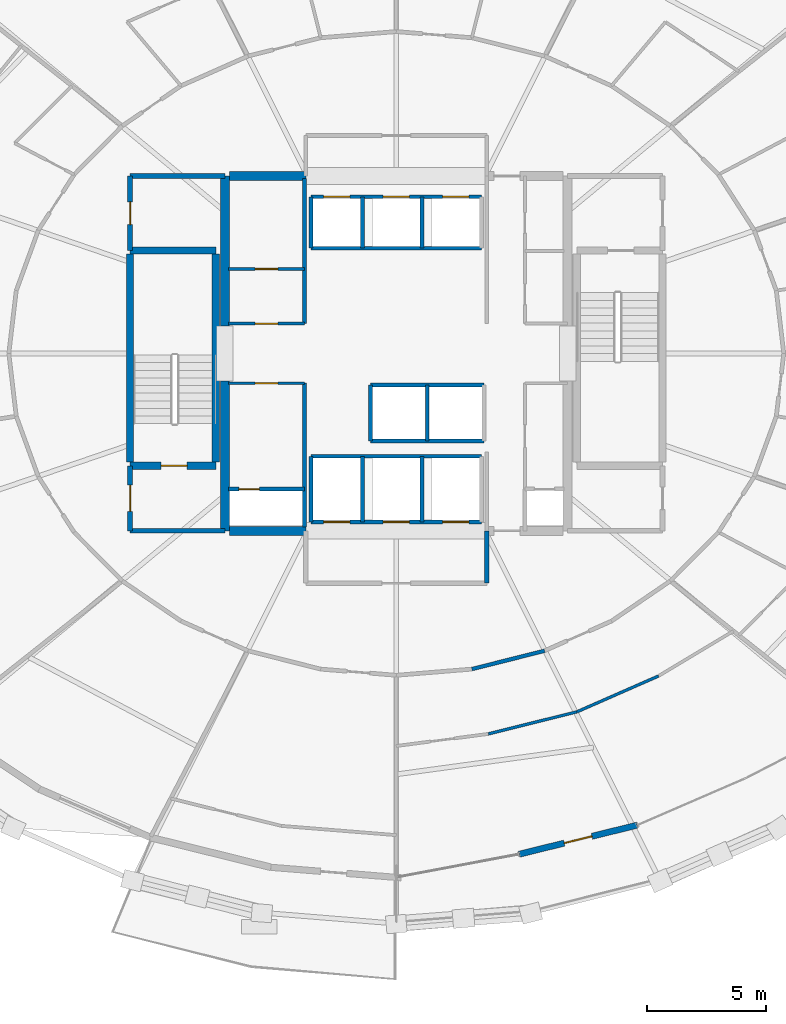
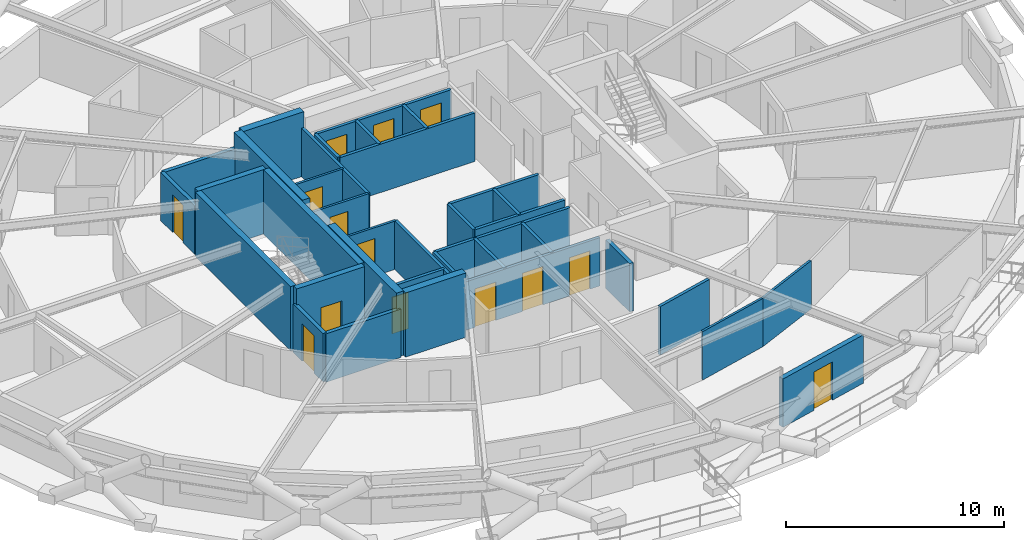
# One storey, part 10 of 14: 37 walls, 14 doors, 14 openings.
"""IFC4 building model written with IfcOpenShell, lengths in metres."""

from ifc_helpers import new_model, si_unit, direction, frame, frame_2d, origin, place, context, subcontext, project, spatial, rectangle, extrude, material, layer, layer_set, type_object, element, fill, save


model = new_model("IFC4")

# Units and contexts
model_context = context("Model", 3, precision=1e-05, world=origin(), true_north=direction((0.0, 1.0)))
body_context = subcontext(model_context, "Body", "Model", "MODEL_VIEW")
ifc_project = project(units=[si_unit("LENGTHUNIT", "METRE"), si_unit("AREAUNIT", "SQUARE_METRE"), si_unit("VOLUMEUNIT", "CUBIC_METRE"), si_unit("PLANEANGLEUNIT", "RADIAN"), si_unit("MASSUNIT", "GRAM", prefix="KILO")], contexts=[model_context])

# Site, building, storey
site_placement = place(None, origin())
site = spatial("IfcSite", under=ifc_project, at=site_placement, CompositionType="ELEMENT")
building_placement = place(site_placement, origin())
building = spatial("IfcBuilding", under=site, at=building_placement, Name="Veldorina Hangang Commons", CompositionType="ELEMENT")
storey_placement = place(building_placement, frame((0.0, 0.0, 88.0)))
storey = spatial("IfcBuildingStorey", under=building, at=storey_placement, Name="L22", CompositionType="ELEMENT", Elevation=88.0)

# Walls
ifc_material_1 = material(Name="Concrete C70/85", Category="concrete")
ifc_layer_1 = layer(ifc_material_1, 0.3798828125)
ifc_layer_set_1 = layer_set([ifc_layer_1], Name="Concrete C70/85")
wall_type_1 = type_object("IfcWallType", Name="CW-RC380-C70", PredefinedType="SHEAR", material=ifc_layer_set_1)
for number, where, z_axis, x_axis, name in (
    (1, (24.800048828125, 16.550048828125, 0.0), (0.0, 0.0, 1.0), (0.0, 1.0, 0.0), "L22 W south core shear wall"),
    (2, (24.800048828125, 25.14990234375, 0.0), (0.0, 0.0, 1.0), (0.0, 1.0, 0.0), "L22 W north core shear wall"),
):
    element("IfcWall", number, at=place(storey_placement, frame(where, z_axis=z_axis, x_axis=x_axis)), inside=storey, type_object=wall_type_1, Name=name, PredefinedType="SHEAR", context=body_context, shape_type="SweptSolid", body=[
        extrude(rectangle(XDim=6.300048828125, YDim=0.3798828125, at=frame_2d((3.14990234375, 0.0))), origin(), (0.0, 0.0, 1.0), 3.60009765625),
    ])
for number, where, z_axis, x_axis, name in (
    (3, (24.989990234375, 16.550048828125, 0.0), (0.0, 0.0, 1.0), (1.0, 0.0, 0.0), "L22 south-west core shear wall"),
    (4, (24.989990234375, 31.449951171875, 0.0), (0.0, 0.0, 1.0), (1.0, 0.0, 0.0), "L22 north-west core shear wall"),
):
    element("IfcWall", number, at=place(storey_placement, frame(where, z_axis=z_axis, x_axis=x_axis)), inside=storey, type_object=wall_type_1, Name=name, PredefinedType="SHEAR", context=body_context, shape_type="SweptSolid", body=[
        extrude(rectangle(XDim=3.2099609375, YDim=0.3798828125, at=frame_2d((1.60498046875, 0.0))), origin(), (0.0, 0.0, 1.0), 3.60009765625),
    ])

# Wall, opening, door
ifc_material_2 = material(Name="Stone Roman Travertine", Category="masonry")
ifc_layer_2 = layer(ifc_material_2, 0.260009765625)
ifc_layer_set_2 = layer_set([ifc_layer_2], Name="Stone Roman Travertine")
wall_type_2 = type_object("IfcWallType", Name="EW-LOGGIA-260", PredefinedType="STANDARD", material=ifc_layer_set_2)
wall_1_placement = place(storey_placement, frame((37.156494140625, 2.9658203125, 0.0), z_axis=(0.0, 0.0, 1.0), x_axis=(0.971019146569, 0.239001709192, 0.0)))
wall_1 = element("IfcWall", 5, at=wall_1_placement, inside=storey, type_object=wall_type_2, Name="L22 sky-garden loggia portal wall 25", PredefinedType="STANDARD", context=body_context, shape_type="SweptSolid", body=[
    extrude(rectangle(XDim=5.1064453125, YDim=0.260009765625, at=frame_2d((2.55322265625, 0.0))), origin(), (0.0, 0.0, 1.0), 2.7099609375),
])
opening_1_placement = place(wall_1_placement, frame((1.953125, 0.0, 0.0)))
opening_1 = element("IfcOpeningElement", 6, at=opening_1_placement, cuts=wall_1, Name="Opening BD-1200", PredefinedType="OPENING", context=body_context, shape_type="SweptSolid", body=[
    extrude(rectangle(XDim=1.199951171875, YDim=2.14990234375, at=frame_2d((0.60009765625, 1.074951171875))), frame((0.0, 0.14013671875, 0.0), z_axis=(0.0, -1.0, 0.0), x_axis=(1.0, 0.0, 0.0)), (0.0, 0.0, 1.0), 0.280029296875),
])
ifc_material_3 = material(Name="Glass Thermal Aluminium Frame", Category="aluminium")
door_type_1 = type_object("IfcDoorType", Name="DR-EXT-LOG1200", OperationType="SINGLE_SWING_LEFT", PredefinedType="DOOR", material=ifc_material_3)
door_1_placement = place(opening_1_placement, origin())
door_1 = element("IfcDoor", 7, at=door_1_placement, inside=storey, type_object=door_type_1, Name="L22 loggia glazed exterior door 25", OperationType="SINGLE_SWING_RIGHT", OverallHeight=2.14990234375, OverallWidth=1.199951171875, PredefinedType="DOOR", context=body_context, shape_type="SweptSolid", body=[
    extrude(rectangle(XDim=1.199951171875, YDim=2.14990234375, at=frame_2d((0.60009765625, 1.074951171875))), frame((0.0, 0.02490234375, 0.0), z_axis=(0.0, -1.0, 0.0), x_axis=(1.0, 0.0, 0.0)), (0.0, 0.0, 1.0), 0.050048828125),
])
fill(opening_1, door_1)

# Walls
ifc_material_4 = material(Name="Concrete C50/60", Category="concrete")
ifc_layer_3 = layer(ifc_material_4, 0.300048828125)
ifc_layer_set_3 = layer_set([ifc_layer_3], Name="Concrete C50/60")
wall_type_3 = type_object("IfcWallType", Name="SW-STAIR-300", PredefinedType="SHEAR", material=ifc_layer_set_3)
for number, where, z_axis, x_axis, name in (
    (8, (20.820068359375, 19.429931640625, 0.0), (0.0, 0.0, 1.0), (0.0, 1.0, 0.0), "L22 ST1 outer stair shear wall"),
    (9, (24.419921875, 19.429931640625, 0.0), (0.0, 0.0, 1.0), (0.0, 1.0, 0.0), "L22 ST1 inner stair shear wall"),
):
    element("IfcWall", number, at=place(storey_placement, frame(where, z_axis=z_axis, x_axis=x_axis)), inside=storey, type_object=wall_type_3, Name=name, PredefinedType="SHEAR", context=body_context, shape_type="SweptSolid", body=[
        extrude(rectangle(XDim=8.739990234375, YDim=0.300048828125, at=frame_2d((4.3701171875, 0.0))), origin(), (0.0, 0.0, 1.0), 3.60009765625),
    ])

# Wall, opening, door
wall_2_placement = place(storey_placement, frame((20.820068359375, 19.280029296875, 0.0), z_axis=(0.0, 0.0, 1.0), x_axis=(1.0, 0.0, 0.0)))
wall_2 = element("IfcWall", 10, at=wall_2_placement, inside=storey, type_object=wall_type_3, Name="L22 ST1 south stair shear wall", PredefinedType="SHEAR", context=body_context, shape_type="SweptSolid", body=[
    extrude(rectangle(XDim=3.599853515625, YDim=0.300048828125, at=frame_2d((1.7998046875, 0.0))), origin(), (0.0, 0.0, 1.0), 3.60009765625),
])
opening_2_placement = place(wall_2_placement, frame((1.300048828125, 0.0, 0.0)))
opening_2 = element("IfcOpeningElement", 11, at=opening_2_placement, cuts=wall_2, Name="Opening D-08", PredefinedType="OPENING", context=body_context, shape_type="SweptSolid", body=[
    extrude(rectangle(XDim=1.10009765625, YDim=2.10009765625, at=frame_2d((0.550048828125, 1.050048828125))), frame((0.0, 0.16015625, 0.0), z_axis=(0.0, -1.0, 0.0), x_axis=(1.0, 0.0, 0.0)), (0.0, 0.0, 1.0), 0.320068359375),
])
ifc_material_5 = material(Name="Steel Fire-Rated Smoke Seal", Category="steel")
door_type_2 = type_object("IfcDoorType", Name="DR-FIRE-1100", OperationType="SINGLE_SWING_RIGHT", PredefinedType="DOOR", material=ifc_material_5)
door_2_placement = place(opening_2_placement, origin())
door_2 = element("IfcDoor", 12, at=door_2_placement, inside=storey, type_object=door_type_2, Name="L22 Special Escape Stair ST-1 door", OperationType="SINGLE_SWING_LEFT", OverallHeight=2.10009765625, OverallWidth=1.10009765625, PredefinedType="DOOR", context=body_context, shape_type="SweptSolid", body=[
    extrude(rectangle(XDim=1.10009765625, YDim=2.10009765625, at=frame_2d((0.550048828125, 1.050048828125))), frame((0.0, 0.02490234375, 0.0), z_axis=(0.0, -1.0, 0.0), x_axis=(1.0, 0.0, 0.0)), (0.0, 0.0, 1.0), 0.050048828125),
])
fill(opening_2, door_2)

# Wall
wall_3_placement = place(storey_placement, frame((20.820068359375, 28.320068359375, 0.0), z_axis=(0.0, 0.0, 1.0), x_axis=(1.0, 0.0, 0.0)))
element("IfcWall", 13, at=wall_3_placement, inside=storey, type_object=wall_type_3, Name="L22 ST1 north stair shear wall", PredefinedType="SHEAR", context=body_context, shape_type="SweptSolid", body=[
    extrude(rectangle(XDim=3.599853515625, YDim=0.300048828125, at=frame_2d((1.7998046875, 0.0))), origin(), (0.0, 0.0, 1.0), 3.60009765625),
])

# Wall, openings, doors
ifc_material_6 = material(Name="Gypsum Fire-Rated Twin Stud Wall", Category="gypsum")
ifc_layer_4 = layer(ifc_material_6, 0.159912109375)
ifc_layer_set_4 = layer_set([ifc_layer_4], Name="Gypsum Fire-Rated Twin Stud Wall")
wall_type_4 = type_object("IfcWallType", Name="WL-FIRE-160", PredefinedType="SOLIDWALL", material=ifc_layer_set_4)
wall_4_placement = place(storey_placement, frame((28.419921875, 30.580078125, 0.0), z_axis=(0.0, 0.0, 1.0), x_axis=(1.0, 0.0, 0.0)))
wall_4 = element("IfcWall", 14, at=wall_4_placement, inside=storey, type_object=wall_type_4, Name="L22 Low-bank front shaft wall 015", PredefinedType="SOLIDWALL", context=body_context, shape_type="SweptSolid", body=[
    extrude(rectangle(XDim=7.16015625, YDim=0.159912109375, at=frame_2d((3.580078125, 0.0))), origin(), (0.0, 0.0, 1.0), 2.7099609375),
])
opening_3_placement = place(wall_4_placement, frame((0.530029296875, 0.0, 0.0)))
opening_3 = element("IfcOpeningElement", 15, at=opening_3_placement, cuts=wall_4, Name="Opening LD-01", PredefinedType="OPENING", context=body_context, shape_type="SweptSolid", body=[
    extrude(rectangle(XDim=1.10009765625, YDim=2.14990234375, at=frame_2d((0.550048828125, 1.074951171875))), frame((0.0, 0.08984375, 0.0), z_axis=(0.0, -1.0, 0.0), x_axis=(1.0, 0.0, 0.0)), (0.0, 0.0, 1.0), 0.179931640625),
])
opening_4_placement = place(wall_4_placement, frame((3.030029296875, 0.0, 0.0)))
opening_4 = element("IfcOpeningElement", 16, at=opening_4_placement, cuts=wall_4, Name="Opening LD-01", PredefinedType="OPENING", context=body_context, shape_type="SweptSolid", body=[
    extrude(rectangle(XDim=1.10009765625, YDim=2.14990234375, at=frame_2d((0.550048828125, 1.074951171875))), frame((0.0, 0.08984375, 0.0), z_axis=(0.0, -1.0, 0.0), x_axis=(1.0, 0.0, 0.0)), (0.0, 0.0, 1.0), 0.179931640625),
])
opening_5_placement = place(wall_4_placement, frame((5.530029296875, 0.0, 0.0)))
opening_5 = element("IfcOpeningElement", 17, at=opening_5_placement, cuts=wall_4, Name="Opening LD-01", PredefinedType="OPENING", context=body_context, shape_type="SweptSolid", body=[
    extrude(rectangle(XDim=1.10009765625, YDim=2.14990234375, at=frame_2d((0.550048828125, 1.074951171875))), frame((0.0, 0.08984375, 0.0), z_axis=(0.0, -1.0, 0.0), x_axis=(1.0, 0.0, 0.0)), (0.0, 0.0, 1.0), 0.179931640625),
])
ifc_material_7 = material(Name="Stainless Steel Brushed Lift Door", Category="steel")
door_type_3 = type_object("IfcDoorType", Name="DR-LIFT-1100", OperationType="SLIDING_TO_LEFT", PredefinedType="DOOR", material=ifc_material_7)
door_3_placement = place(opening_3_placement, origin())
door_3 = element("IfcDoor", 18, at=door_3_placement, inside=storey, type_object=door_type_3, Name="L22 Lift PL-L1 landing door 006", OperationType="SLIDING_TO_LEFT", OverallHeight=2.14990234375, OverallWidth=1.10009765625, PredefinedType="DOOR", context=body_context, shape_type="SweptSolid", body=[
    extrude(rectangle(XDim=1.10009765625, YDim=2.14990234375, at=frame_2d((0.550048828125, 1.074951171875))), frame((0.0, 0.02490234375, 0.0), z_axis=(0.0, -1.0, 0.0), x_axis=(1.0, 0.0, 0.0)), (0.0, 0.0, 1.0), 0.050048828125),
])
fill(opening_3, door_3)
door_4_placement = place(opening_4_placement, origin())
door_4 = element("IfcDoor", 19, at=door_4_placement, inside=storey, type_object=door_type_3, Name="L22 Lift PL-L2 landing door 007", OperationType="SLIDING_TO_LEFT", OverallHeight=2.14990234375, OverallWidth=1.10009765625, PredefinedType="DOOR", context=body_context, shape_type="SweptSolid", body=[
    extrude(rectangle(XDim=1.10009765625, YDim=2.14990234375, at=frame_2d((0.550048828125, 1.074951171875))), frame((0.0, 0.02490234375, 0.0), z_axis=(0.0, -1.0, 0.0), x_axis=(1.0, 0.0, 0.0)), (0.0, 0.0, 1.0), 0.050048828125),
])
fill(opening_4, door_4)
door_5_placement = place(opening_5_placement, origin())
door_5 = element("IfcDoor", 20, at=door_5_placement, inside=storey, type_object=door_type_3, Name="L22 Lift PL-L3 landing door 008", OperationType="SLIDING_TO_LEFT", OverallHeight=2.14990234375, OverallWidth=1.10009765625, PredefinedType="DOOR", context=body_context, shape_type="SweptSolid", body=[
    extrude(rectangle(XDim=1.10009765625, YDim=2.14990234375, at=frame_2d((0.550048828125, 1.074951171875))), frame((0.0, 0.02490234375, 0.0), z_axis=(0.0, -1.0, 0.0), x_axis=(1.0, 0.0, 0.0)), (0.0, 0.0, 1.0), 0.050048828125),
])
fill(opening_5, door_5)

# Walls
wall_5_placement = place(storey_placement, frame((28.419921875, 28.419921875, 0.0), z_axis=(0.0, 0.0, 1.0), x_axis=(1.0, 0.0, 0.0)))
element("IfcWall", 21, at=wall_5_placement, inside=storey, type_object=wall_type_4, Name="L22 Low-bank rear shaft wall 016", PredefinedType="SOLIDWALL", context=body_context, shape_type="SweptSolid", body=[
    extrude(rectangle(XDim=7.16015625, YDim=0.159912109375, at=frame_2d((3.580078125, 0.0))), origin(), (0.0, 0.0, 1.0), 2.7099609375),
])
for number, where, z_axis, x_axis, name in (
    (22, (28.419921875, 28.419921875, 0.0), (0.0, 0.0, 1.0), (0.0, 1.0, 0.0), "L22 PL-L1 west shaft wall 017"),
    (23, (30.580078125, 28.419921875, 0.0), (0.0, 0.0, 1.0), (0.0, 1.0, 0.0), "L22 PL-L1 east shaft wall 018"),
    (24, (33.080078125, 28.419921875, 0.0), (0.0, 0.0, 1.0), (0.0, 1.0, 0.0), "L22 PL-L2 east shaft wall 019"),
):
    element("IfcWall", number, at=place(storey_placement, frame(where, z_axis=z_axis, x_axis=x_axis)), inside=storey, type_object=wall_type_4, Name=name, PredefinedType="SOLIDWALL", context=body_context, shape_type="SweptSolid", body=[
        extrude(rectangle(XDim=2.16015625, YDim=0.159912109375, at=frame_2d((1.080078125, 0.0))), origin(), (0.0, 0.0, 1.0), 2.7099609375),
    ])
for number, where, z_axis, x_axis, name in (
    (25, (30.919921875, 22.679931640625, 0.0), (0.0, 0.0, 1.0), (1.0, 0.0, 0.0), "L22 Shuttle-high front shaft wall 021"),
    (26, (30.919921875, 20.320068359375, 0.0), (0.0, 0.0, 1.0), (1.0, 0.0, 0.0), "L22 Shuttle-high rear shaft wall 022"),
):
    element("IfcWall", number, at=place(storey_placement, frame(where, z_axis=z_axis, x_axis=x_axis)), inside=storey, type_object=wall_type_4, Name=name, PredefinedType="SOLIDWALL", context=body_context, shape_type="SweptSolid", body=[
        extrude(rectangle(XDim=4.760009765625, YDim=0.159912109375, at=frame_2d((2.3798828125, 0.0))), origin(), (0.0, 0.0, 1.0), 2.7099609375),
    ])
for number, where, z_axis, x_axis, name in (
    (27, (30.919921875, 20.320068359375, 0.0), (0.0, 0.0, 1.0), (0.0, 1.0, 0.0), "L22 SL-1 west shaft wall 023"),
    (28, (33.300048828125, 20.320068359375, 0.0), (0.0, 0.0, 1.0), (0.0, 1.0, 0.0), "L22 SL-1 east shaft wall 024"),
):
    element("IfcWall", number, at=place(storey_placement, frame(where, z_axis=z_axis, x_axis=x_axis)), inside=storey, type_object=wall_type_4, Name=name, PredefinedType="SOLIDWALL", context=body_context, shape_type="SweptSolid", body=[
        extrude(rectangle(XDim=2.35986328125, YDim=0.159912109375, at=frame_2d((1.179931640625, 0.0))), origin(), (0.0, 0.0, 1.0), 2.7099609375),
    ])

# Wall, openings, doors
wall_6_placement = place(storey_placement, frame((28.419921875, 16.919921875, 0.0), z_axis=(0.0, 0.0, 1.0), x_axis=(1.0, 0.0, 0.0)))
wall_6 = element("IfcWall", 29, at=wall_6_placement, inside=storey, type_object=wall_type_4, Name="L22 Emergency front shaft wall 026", PredefinedType="SOLIDWALL", context=body_context, shape_type="SweptSolid", body=[
    extrude(rectangle(XDim=7.16015625, YDim=0.159912109375, at=frame_2d((3.580078125, 0.0))), origin(), (0.0, 0.0, 1.0), 2.7099609375),
])
opening_6_placement = place(wall_6_placement, frame((0.530029296875, 0.0, 0.0)))
opening_6 = element("IfcOpeningElement", 30, at=opening_6_placement, cuts=wall_6, Name="Opening LD-03", PredefinedType="OPENING", context=body_context, shape_type="SweptSolid", body=[
    extrude(rectangle(XDim=1.10009765625, YDim=2.14990234375, at=frame_2d((0.550048828125, 1.074951171875))), frame((0.0, 0.08984375, 0.0), z_axis=(0.0, -1.0, 0.0), x_axis=(1.0, 0.0, 0.0)), (0.0, 0.0, 1.0), 0.179931640625),
])
opening_7_placement = place(wall_6_placement, frame((3.030029296875, 0.0, 0.0)))
opening_7 = element("IfcOpeningElement", 31, at=opening_7_placement, cuts=wall_6, Name="Opening LD-03", PredefinedType="OPENING", context=body_context, shape_type="SweptSolid", body=[
    extrude(rectangle(XDim=1.10009765625, YDim=2.14990234375, at=frame_2d((0.550048828125, 1.074951171875))), frame((0.0, 0.08984375, 0.0), z_axis=(0.0, -1.0, 0.0), x_axis=(1.0, 0.0, 0.0)), (0.0, 0.0, 1.0), 0.179931640625),
])
opening_8_placement = place(wall_6_placement, frame((5.530029296875, 0.0, 0.0)))
opening_8 = element("IfcOpeningElement", 32, at=opening_8_placement, cuts=wall_6, Name="Opening LD-03", PredefinedType="OPENING", context=body_context, shape_type="SweptSolid", body=[
    extrude(rectangle(XDim=1.10009765625, YDim=2.14990234375, at=frame_2d((0.550048828125, 1.074951171875))), frame((0.0, 0.08984375, 0.0), z_axis=(0.0, -1.0, 0.0), x_axis=(1.0, 0.0, 0.0)), (0.0, 0.0, 1.0), 0.179931640625),
])
ifc_material_8 = material(Name="Stainless Steel Firefighting Lift Door", Category="steel")
door_type_4 = type_object("IfcDoorType", Name="DR-LIFT-FF1100", OperationType="SLIDING_TO_RIGHT", PredefinedType="DOOR", material=ifc_material_8)
door_6_placement = place(opening_6_placement, origin())
door_6 = element("IfcDoor", 33, at=door_6_placement, inside=storey, type_object=door_type_4, Name="L22 Emergency lift FFL-1 landing door 009", OperationType="SLIDING_TO_RIGHT", OverallHeight=2.14990234375, OverallWidth=1.10009765625, PredefinedType="DOOR", context=body_context, shape_type="SweptSolid", body=[
    extrude(rectangle(XDim=1.10009765625, YDim=2.14990234375, at=frame_2d((0.550048828125, 1.074951171875))), frame((0.0, 0.02490234375, 0.0), z_axis=(0.0, -1.0, 0.0), x_axis=(1.0, 0.0, 0.0)), (0.0, 0.0, 1.0), 0.050048828125),
])
fill(opening_6, door_6)
door_7_placement = place(opening_7_placement, origin())
door_7 = element("IfcDoor", 34, at=door_7_placement, inside=storey, type_object=door_type_4, Name="L22 Emergency lift FFL-2 landing door 010", OperationType="SLIDING_TO_RIGHT", OverallHeight=2.14990234375, OverallWidth=1.10009765625, PredefinedType="DOOR", context=body_context, shape_type="SweptSolid", body=[
    extrude(rectangle(XDim=1.10009765625, YDim=2.14990234375, at=frame_2d((0.550048828125, 1.074951171875))), frame((0.0, 0.02490234375, 0.0), z_axis=(0.0, -1.0, 0.0), x_axis=(1.0, 0.0, 0.0)), (0.0, 0.0, 1.0), 0.050048828125),
])
fill(opening_7, door_7)
door_8_placement = place(opening_8_placement, origin())
door_8 = element("IfcDoor", 35, at=door_8_placement, inside=storey, type_object=door_type_4, Name="L22 Emergency lift EVL-1 landing door 011", OperationType="SLIDING_TO_RIGHT", OverallHeight=2.14990234375, OverallWidth=1.10009765625, PredefinedType="DOOR", context=body_context, shape_type="SweptSolid", body=[
    extrude(rectangle(XDim=1.10009765625, YDim=2.14990234375, at=frame_2d((0.550048828125, 1.074951171875))), frame((0.0, 0.02490234375, 0.0), z_axis=(0.0, -1.0, 0.0), x_axis=(1.0, 0.0, 0.0)), (0.0, 0.0, 1.0), 0.050048828125),
])
fill(opening_8, door_8)

# Walls
wall_7_placement = place(storey_placement, frame((28.419921875, 19.679931640625, 0.0), z_axis=(0.0, 0.0, 1.0), x_axis=(1.0, 0.0, 0.0)))
element("IfcWall", 36, at=wall_7_placement, inside=storey, type_object=wall_type_4, Name="L22 Emergency rear shaft wall 027", PredefinedType="SOLIDWALL", context=body_context, shape_type="SweptSolid", body=[
    extrude(rectangle(XDim=7.16015625, YDim=0.159912109375, at=frame_2d((3.580078125, 0.0))), origin(), (0.0, 0.0, 1.0), 2.7099609375),
])
for number, where, z_axis, x_axis, name in (
    (37, (28.419921875, 16.919921875, 0.0), (0.0, 0.0, 1.0), (0.0, 1.0, 0.0), "L22 FFL-1 west shaft wall 028"),
    (38, (30.580078125, 16.919921875, 0.0), (0.0, 0.0, 1.0), (0.0, 1.0, 0.0), "L22 FFL-1 east shaft wall 029"),
    (39, (33.080078125, 16.919921875, 0.0), (0.0, 0.0, 1.0), (0.0, 1.0, 0.0), "L22 FFL-2 east shaft wall 030"),
):
    element("IfcWall", number, at=place(storey_placement, frame(where, z_axis=z_axis, x_axis=x_axis)), inside=storey, type_object=wall_type_4, Name=name, PredefinedType="SOLIDWALL", context=body_context, shape_type="SweptSolid", body=[
        extrude(rectangle(XDim=2.760009765625, YDim=0.159912109375, at=frame_2d((1.3798828125, 0.0))), origin(), (0.0, 0.0, 1.0), 2.7099609375),
    ])

# Wall, opening, door
wall_8_placement = place(storey_placement, frame((24.949951171875, 18.300048828125, 0.0), z_axis=(0.0, 0.0, 1.0), x_axis=(1.0, 0.0, 0.0)))
wall_8 = element("IfcWall", 40, at=wall_8_placement, inside=storey, type_object=wall_type_4, Name="L22 Electrical riser wall 035", PredefinedType="SOLIDWALL", context=body_context, shape_type="SweptSolid", body=[
    extrude(rectangle(XDim=3.199951171875, YDim=0.159912109375, at=frame_2d((1.60009765625, 0.0))), origin(), (0.0, 0.0, 1.0), 2.7099609375),
])
opening_9_placement = place(wall_8_placement, frame((0.43994140625, 0.0, 0.0)))
opening_9 = element("IfcOpeningElement", 41, at=opening_9_placement, cuts=wall_8, Name="Opening D-12", PredefinedType="OPENING", context=body_context, shape_type="SweptSolid", body=[
    extrude(rectangle(XDim=0.860107421875, YDim=2.050048828125, at=frame_2d((0.43017578125, 1.02490234375))), frame((0.0, 0.08984375, 0.0), z_axis=(0.0, -1.0, 0.0), x_axis=(1.0, 0.0, 0.0)), (0.0, 0.0, 1.0), 0.179931640625),
])
ifc_material_9 = material(Name="Steel Insulated Riser Access", Category="steel")
door_type_5 = type_object("IfcDoorType", Name="DR-TRAP-860", OperationType="SINGLE_SWING_LEFT", PredefinedType="TRAPDOOR", material=ifc_material_9)
door_9_placement = place(opening_9_placement, origin())
door_9 = element("IfcDoor", 42, at=door_9_placement, inside=storey, type_object=door_type_5, Name="L22 Electrical riser access door 013", OperationType="SINGLE_SWING_LEFT", OverallHeight=2.050048828125, OverallWidth=0.860107421875, PredefinedType="TRAPDOOR", context=body_context, shape_type="SweptSolid", body=[
    extrude(rectangle(XDim=0.860107421875, YDim=2.050048828125, at=frame_2d((0.43017578125, 1.02490234375))), frame((0.0, 0.02490234375, 0.0), z_axis=(0.0, -1.0, 0.0), x_axis=(1.0, 0.0, 0.0)), (0.0, 0.0, 1.0), 0.050048828125),
])
fill(opening_9, door_9)

# Walls
wall_9_placement = place(storey_placement, frame((28.14990234375, 16.699951171875, 0.0), z_axis=(0.0, 0.0, 1.0), x_axis=(0.0, 1.0, 0.0)))
element("IfcWall", 43, at=wall_9_placement, inside=storey, type_object=wall_type_4, Name="L22 SW core inner wall 036", PredefinedType="SOLIDWALL", context=body_context, shape_type="SweptSolid", body=[
    extrude(rectangle(XDim=6.050048828125, YDim=0.159912109375, at=frame_2d((3.02490234375, 0.0))), origin(), (0.0, 0.0, 1.0), 2.7099609375),
])
wall_10_placement = place(storey_placement, frame((28.14990234375, 25.25, 0.0), z_axis=(0.0, 0.0, 1.0), x_axis=(0.0, 1.0, 0.0)))
element("IfcWall", 44, at=wall_10_placement, inside=storey, type_object=wall_type_4, Name="L22 NW core inner wall 038", PredefinedType="SOLIDWALL", context=body_context, shape_type="SweptSolid", body=[
    extrude(rectangle(XDim=6.10009765625, YDim=0.159912109375, at=frame_2d((3.050048828125, 0.0))), origin(), (0.0, 0.0, 1.0), 2.7099609375),
])
wall_11_placement = place(storey_placement, frame((35.1748046875, 10.74169921875, 0.0), z_axis=(0.0, 0.0, 1.0), x_axis=(0.969689238064, 0.244341526521, 0.0)))
element("IfcWall", 45, at=wall_11_placement, inside=storey, type_object=wall_type_4, Name="L22 Corridor outer wall 25 072", PredefinedType="SOLIDWALL", context=body_context, shape_type="SweptSolid", body=[
    extrude(rectangle(XDim=3.1484375, YDim=0.159912109375, at=frame_2d((1.57421875, 0.0))), origin(), (0.0, 0.0, 1.0), 2.7099609375),
])

# Wall, opening, door
ifc_material_10 = material(Name="Concrete Blockwork Fire Wall C30/37", Category="masonry")
ifc_layer_5 = layer(ifc_material_10, 0.199951171875)
ifc_layer_set_5 = layer_set([ifc_layer_5], Name="Concrete Blockwork Fire Wall C30/37")
wall_type_5 = type_object("IfcWallType", Name="WL-FIRE-200", PredefinedType="SOLIDWALL", material=ifc_layer_set_5)
wall_12_placement = place(storey_placement, frame((20.820068359375, 16.550048828125, 0.0), z_axis=(0.0, 0.0, 1.0), x_axis=(0.0, 1.0, 0.0)))
wall_12 = element("IfcWall", 46, at=wall_12_placement, inside=storey, type_object=wall_type_5, Name="L22 West vestibule outer wall 001", PredefinedType="SOLIDWALL", context=body_context, shape_type="SweptSolid", body=[
    extrude(rectangle(XDim=2.72998046875, YDim=0.199951171875, at=frame_2d((1.364990234375, 0.0))), origin(), (0.0, 0.0, 1.0), 2.7099609375),
])
opening_10_placement = place(wall_12_placement, frame((0.81494140625, 0.0, 0.0)))
opening_10 = element("IfcOpeningElement", 47, at=opening_10_placement, cuts=wall_12, Name="Opening D-08", PredefinedType="OPENING", context=body_context, shape_type="SweptSolid", body=[
    extrude(rectangle(XDim=1.10009765625, YDim=2.10009765625, at=frame_2d((0.550048828125, 1.050048828125))), frame((0.0, 0.10986328125, 0.0), z_axis=(0.0, -1.0, 0.0), x_axis=(1.0, 0.0, 0.0)), (0.0, 0.0, 1.0), 0.219970703125),
])
door_10_placement = place(opening_10_placement, origin())
door_10 = element("IfcDoor", 48, at=door_10_placement, inside=storey, type_object=door_type_2, Name="L22 West vestibule west door 001", OperationType="SINGLE_SWING_LEFT", OverallHeight=2.10009765625, OverallWidth=1.10009765625, PredefinedType="DOOR", context=body_context, shape_type="SweptSolid", body=[
    extrude(rectangle(XDim=1.10009765625, YDim=2.10009765625, at=frame_2d((0.550048828125, 1.050048828125))), frame((0.0, 0.02490234375, 0.0), z_axis=(0.0, -1.0, 0.0), x_axis=(1.0, 0.0, 0.0)), (0.0, 0.0, 1.0), 0.050048828125),
])
fill(opening_10, door_10)

# Wall
wall_13_placement = place(storey_placement, frame((20.820068359375, 16.550048828125, 0.0), z_axis=(0.0, 0.0, 1.0), x_axis=(1.0, 0.0, 0.0)))
element("IfcWall", 49, at=wall_13_placement, inside=storey, type_object=wall_type_5, Name="L22 West vestibule south wall 002", PredefinedType="SOLIDWALL", context=body_context, shape_type="SweptSolid", body=[
    extrude(rectangle(XDim=3.97998046875, YDim=0.199951171875, at=frame_2d((1.989990234375, 0.0))), origin(), (0.0, 0.0, 1.0), 2.7099609375),
])

# Wall, opening, door
wall_14_placement = place(storey_placement, frame((20.820068359375, 28.320068359375, 0.0), z_axis=(0.0, 0.0, 1.0), x_axis=(0.0, 1.0, 0.0)))
wall_14 = element("IfcWall", 50, at=wall_14_placement, inside=storey, type_object=wall_type_5, Name="L22 NW core room outer wall 005", PredefinedType="SOLIDWALL", context=body_context, shape_type="SweptSolid", body=[
    extrude(rectangle(XDim=3.1298828125, YDim=0.199951171875, at=frame_2d((1.56494140625, 0.0))), origin(), (0.0, 0.0, 1.0), 2.7099609375),
])
opening_11_placement = place(wall_14_placement, frame((1.090087890625, 0.0, 0.0)))
opening_11 = element("IfcOpeningElement", 51, at=opening_11_placement, cuts=wall_14, Name="Opening D-04", PredefinedType="OPENING", context=body_context, shape_type="SweptSolid", body=[
    extrude(rectangle(XDim=0.949951171875, YDim=2.10009765625, at=frame_2d((0.47509765625, 1.050048828125))), frame((0.0, 0.10986328125, 0.0), z_axis=(0.0, -1.0, 0.0), x_axis=(1.0, 0.0, 0.0)), (0.0, 0.0, 1.0), 0.219970703125),
])
ifc_material_11 = material(Name="Timber Accessible Flush Leaf", Category="wood")
door_type_6 = type_object("IfcDoorType", Name="DR-ACC-950", OperationType="SINGLE_SWING_LEFT", PredefinedType="DOOR", material=ifc_material_11)
door_11_placement = place(opening_11_placement, origin())
door_11 = element("IfcDoor", 52, at=door_11_placement, inside=storey, type_object=door_type_6, Name="L22 NW core WC door 003", OperationType="SINGLE_SWING_LEFT", OverallHeight=2.10009765625, OverallWidth=0.949951171875, PredefinedType="DOOR", context=body_context, shape_type="SweptSolid", body=[
    extrude(rectangle(XDim=0.949951171875, YDim=2.10009765625, at=frame_2d((0.47509765625, 1.050048828125))), frame((0.0, 0.02490234375, 0.0), z_axis=(0.0, -1.0, 0.0), x_axis=(1.0, 0.0, 0.0)), (0.0, 0.0, 1.0), 0.050048828125),
])
fill(opening_11, door_11)

# Walls
wall_15_placement = place(storey_placement, frame((20.820068359375, 31.449951171875, 0.0), z_axis=(0.0, 0.0, 1.0), x_axis=(1.0, 0.0, 0.0)))
element("IfcWall", 53, at=wall_15_placement, inside=storey, type_object=wall_type_5, Name="L22 NW core room north wall 006", PredefinedType="SOLIDWALL", context=body_context, shape_type="SweptSolid", body=[
    extrude(rectangle(XDim=3.97998046875, YDim=0.199951171875, at=frame_2d((1.989990234375, 0.0))), origin(), (0.0, 0.0, 1.0), 2.7099609375),
])
wall_16_placement = place(storey_placement, frame((35.800048828125, 14.35009765625, 0.0), z_axis=(0.0, 0.0, 1.0), x_axis=(0.0, 1.0, 0.0)))
element("IfcWall", 54, at=wall_16_placement, inside=storey, type_object=wall_type_5, Name="L22 FF lobby east wall 013", PredefinedType="SOLIDWALL", context=body_context, shape_type="SweptSolid", body=[
    extrude(rectangle(XDim=2.199951171875, YDim=0.199951171875, at=frame_2d((1.10009765625, 0.0))), origin(), (0.0, 0.0, 1.0), 2.7099609375),
])

# Wall, opening, door
ifc_material_12 = material(Name="Gypsum Acoustic Stud Partition", Category="gypsum")
ifc_layer_6 = layer(ifc_material_12, 0.1201171875)
ifc_layer_set_6 = layer_set([ifc_layer_6], Name="Gypsum Acoustic Stud Partition")
wall_type_6 = type_object("IfcWallType", Name="WL-PART-120", PredefinedType="PARTITIONING", material=ifc_layer_set_6)
wall_17_placement = place(storey_placement, frame((24.949951171875, 25.25, 0.0), z_axis=(0.0, 0.0, 1.0), x_axis=(1.0, 0.0, 0.0)))
wall_17 = element("IfcWall", 55, at=wall_17_placement, inside=storey, type_object=wall_type_6, Name="L22 NW service south wall 039", PredefinedType="PARTITIONING", context=body_context, shape_type="SweptSolid", body=[
    extrude(rectangle(XDim=3.199951171875, YDim=0.1201171875, at=frame_2d((1.60009765625, 0.0))), origin(), (0.0, 0.0, 1.0), 2.7099609375),
])
opening_12_placement = place(wall_17_placement, frame((1.125, 0.0, 0.0)))
opening_12 = element("IfcOpeningElement", 56, at=opening_12_placement, cuts=wall_17, Name="Opening D-02", PredefinedType="OPENING", context=body_context, shape_type="SweptSolid", body=[
    extrude(rectangle(XDim=0.949951171875, YDim=2.10009765625, at=frame_2d((0.47509765625, 1.050048828125))), frame((0.0, 0.070068359375, 0.0), z_axis=(0.0, -1.0, 0.0), x_axis=(1.0, 0.0, 0.0)), (0.0, 0.0, 1.0), 0.14013671875),
])
ifc_material_13 = material(Name="Timber Solid Core Acoustic", Category="wood")
door_type_7 = type_object("IfcDoorType", Name="DR-INT-950", OperationType="SINGLE_SWING_LEFT", PredefinedType="DOOR", material=ifc_material_13)
door_12_placement = place(opening_12_placement, origin())
door_12 = element("IfcDoor", 57, at=door_12_placement, inside=storey, type_object=door_type_7, Name="L22 Housekeeping pantry door 015", OperationType="SINGLE_SWING_LEFT", OverallHeight=2.10009765625, OverallWidth=0.949951171875, PredefinedType="DOOR", context=body_context, shape_type="SweptSolid", body=[
    extrude(rectangle(XDim=0.949951171875, YDim=2.10009765625, at=frame_2d((0.47509765625, 1.050048828125))), frame((0.0, 0.02490234375, 0.0), z_axis=(0.0, -1.0, 0.0), x_axis=(1.0, 0.0, 0.0)), (0.0, 0.0, 1.0), 0.050048828125),
])
fill(opening_12, door_12)

wall_18_placement = place(storey_placement, frame((24.949951171875, 22.75, 0.0), z_axis=(0.0, 0.0, 1.0), x_axis=(1.0, 0.0, 0.0)))
wall_18 = element("IfcWall", 58, at=wall_18_placement, inside=storey, type_object=wall_type_6, Name="L22 SW service north wall 040", PredefinedType="PARTITIONING", context=body_context, shape_type="SweptSolid", body=[
    extrude(rectangle(XDim=3.199951171875, YDim=0.1201171875, at=frame_2d((1.60009765625, 0.0))), origin(), (0.0, 0.0, 1.0), 2.7099609375),
])
opening_13_placement = place(wall_18_placement, frame((1.125, 0.0, 0.0)))
opening_13 = element("IfcOpeningElement", 59, at=opening_13_placement, cuts=wall_18, Name="Opening D-02", PredefinedType="OPENING", context=body_context, shape_type="SweptSolid", body=[
    extrude(rectangle(XDim=0.949951171875, YDim=2.10009765625, at=frame_2d((0.47509765625, 1.050048828125))), frame((0.0, 0.070068359375, 0.0), z_axis=(0.0, -1.0, 0.0), x_axis=(1.0, 0.0, 0.0)), (0.0, 0.0, 1.0), 0.14013671875),
])
door_13_placement = place(opening_13_placement, origin())
door_13 = element("IfcDoor", 60, at=door_13_placement, inside=storey, type_object=door_type_7, Name="L22 Waste sorting door 017", OperationType="SINGLE_SWING_LEFT", OverallHeight=2.10009765625, OverallWidth=0.949951171875, PredefinedType="DOOR", context=body_context, shape_type="SweptSolid", body=[
    extrude(rectangle(XDim=0.949951171875, YDim=2.10009765625, at=frame_2d((0.47509765625, 1.050048828125))), frame((0.0, 0.02490234375, 0.0), z_axis=(0.0, -1.0, 0.0), x_axis=(1.0, 0.0, 0.0)), (0.0, 0.0, 1.0), 0.050048828125),
])
fill(opening_13, door_13)

wall_19_placement = place(storey_placement, frame((24.949951171875, 27.550048828125, 0.0), z_axis=(0.0, 0.0, 1.0), x_axis=(1.0, 0.0, 0.0)))
wall_19 = element("IfcWall", 61, at=wall_19_placement, inside=storey, type_object=wall_type_6, Name="L22 NW mid wall 045", PredefinedType="PARTITIONING", context=body_context, shape_type="SweptSolid", body=[
    extrude(rectangle(XDim=3.199951171875, YDim=0.1201171875, at=frame_2d((1.60009765625, 0.0))), origin(), (0.0, 0.0, 1.0), 2.7099609375),
])
opening_14_placement = place(wall_19_placement, frame((1.125, 0.0, 0.0)))
opening_14 = element("IfcOpeningElement", 62, at=opening_14_placement, cuts=wall_19, Name="Opening D-02", PredefinedType="OPENING", context=body_context, shape_type="SweptSolid", body=[
    extrude(rectangle(XDim=0.949951171875, YDim=2.10009765625, at=frame_2d((0.47509765625, 1.050048828125))), frame((0.0, 0.070068359375, 0.0), z_axis=(0.0, -1.0, 0.0), x_axis=(1.0, 0.0, 0.0)), (0.0, 0.0, 1.0), 0.14013671875),
])
door_14_placement = place(opening_14_placement, origin())
door_14 = element("IfcDoor", 63, at=door_14_placement, inside=storey, type_object=door_type_7, Name="L22 Bedding store door 016", OperationType="SINGLE_SWING_RIGHT", OverallHeight=2.10009765625, OverallWidth=0.949951171875, PredefinedType="DOOR", context=body_context, shape_type="SweptSolid", body=[
    extrude(rectangle(XDim=0.949951171875, YDim=2.10009765625, at=frame_2d((0.47509765625, 1.050048828125))), frame((0.0, 0.02490234375, 0.0), z_axis=(0.0, -1.0, 0.0), x_axis=(1.0, 0.0, 0.0)), (0.0, 0.0, 1.0), 0.050048828125),
])
fill(opening_14, door_14)

# Walls
wall_20_placement = place(storey_placement, frame((35.868408203125, 8.020263671875, 0.0), z_axis=(0.0, 0.0, 1.0), x_axis=(0.970310833778, 0.241861294657, 0.0)))
element("IfcWall", 64, at=wall_20_placement, inside=storey, type_object=wall_type_6, Name="L22 Lounge alcove split 1 081", PredefinedType="PARTITIONING", context=body_context, shape_type="SweptSolid", body=[
    extrude(rectangle(XDim=3.833740234375, YDim=0.1201171875, at=frame_2d((1.9169921875, 0.0))), origin(), (0.0, 0.0, 1.0), 2.7099609375),
])
wall_21_placement = place(storey_placement, frame((39.58837890625, 8.947509765625, 0.0), z_axis=(0.0, 0.0, 1.0), x_axis=(0.91561475849, 0.402056729871, 0.0)))
element("IfcWall", 65, at=wall_21_placement, inside=storey, type_object=wall_type_6, Name="L22 Lounge alcove split 2 082", PredefinedType="PARTITIONING", context=body_context, shape_type="SweptSolid", body=[
    extrude(rectangle(XDim=3.744140625, YDim=0.1201171875, at=frame_2d((1.8720703125, 0.0))), origin(), (0.0, 0.0, 1.0), 2.7099609375),
])

save(model, "model.ifc")
